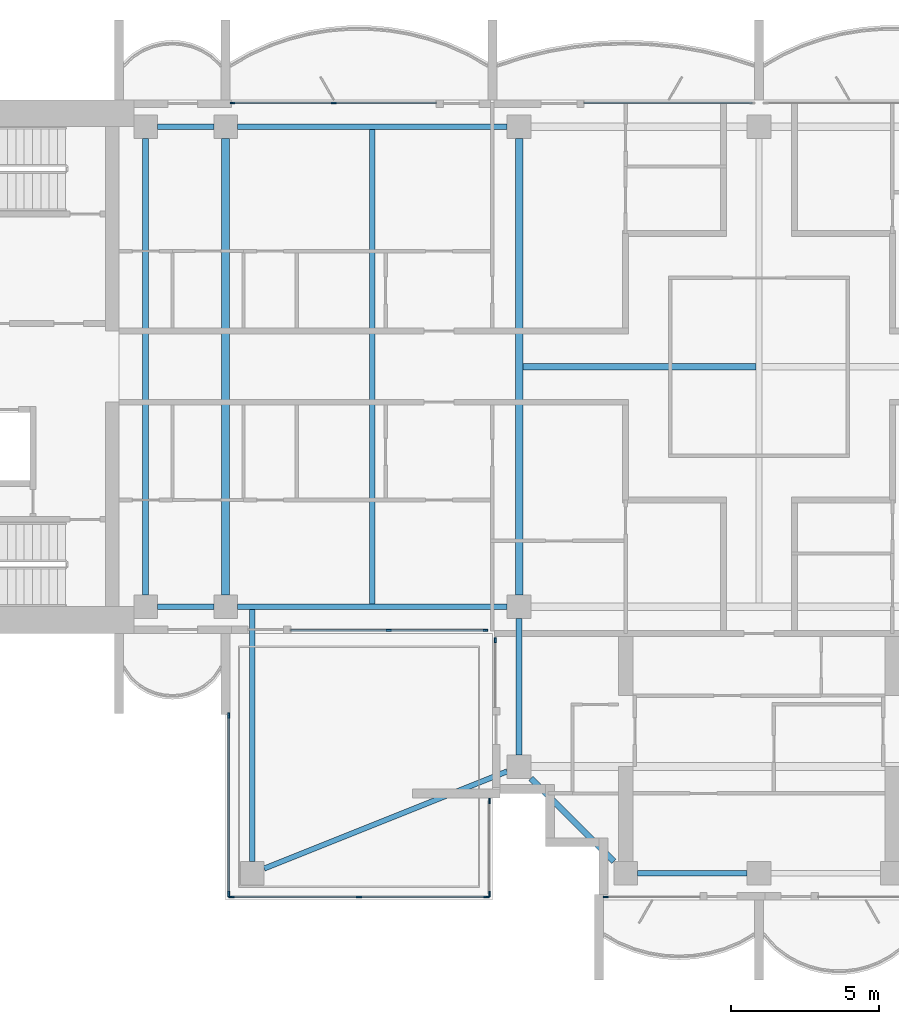
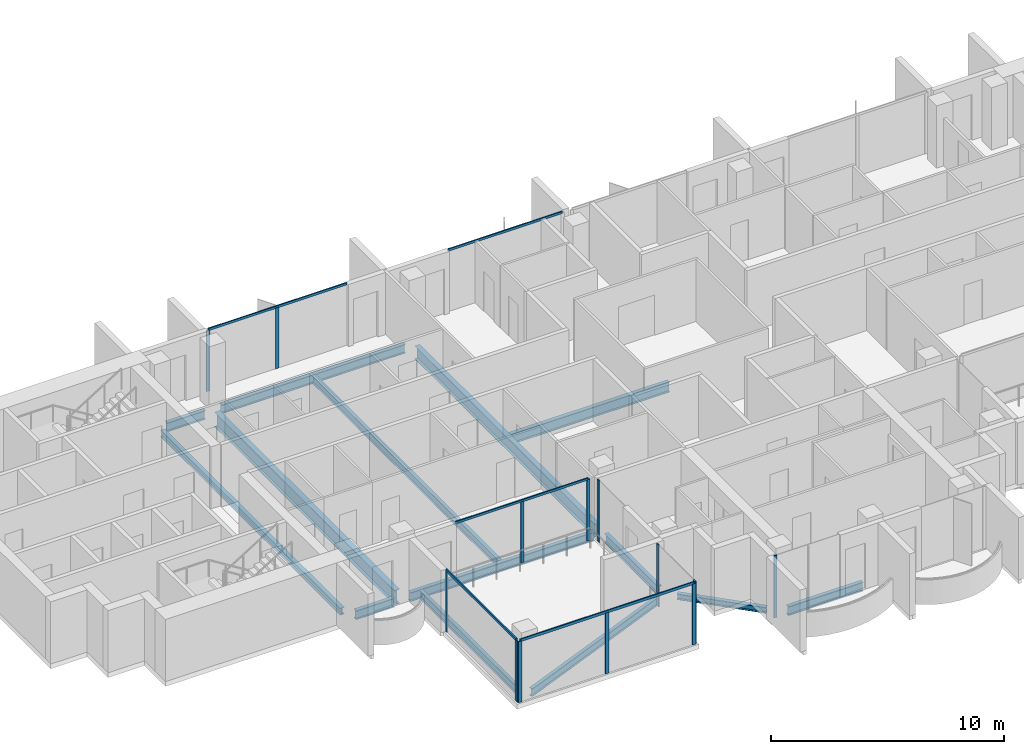
# One storey, part 2 of 16: 18 members, 14 beams, 8 elements without a shape of their own.
"""IFC4 building model written with IfcOpenShell, lengths in metres."""

from ifc_helpers import new_model, si_unit, direction, frame, origin, origin_2d, place, context, subcontext, project, spatial, rectangle, i_section, extrude, material, material_profile, profile_set, type_object, element, aggregate, save


model = new_model("IFC4")

# Units and contexts
model_context = context("Model", 3, precision=1e-05, world=origin(), true_north=direction((0.0, 1.0)))
body_context = subcontext(model_context, "Body", "Model", "MODEL_VIEW")
ifc_project = project(units=[si_unit("LENGTHUNIT", "METRE"), si_unit("AREAUNIT", "SQUARE_METRE"), si_unit("VOLUMEUNIT", "CUBIC_METRE"), si_unit("PLANEANGLEUNIT", "RADIAN"), si_unit("MASSUNIT", "GRAM", prefix="KILO")], contexts=[model_context])

# Site, building, storey
site_placement = place(None, origin())
site = spatial("IfcSite", under=ifc_project, at=site_placement, CompositionType="ELEMENT")
building_placement = place(site_placement, origin())
building = spatial("IfcBuilding", under=site, at=building_placement, Name="Perihelion Cross Residences", CompositionType="ELEMENT")
storey_placement = place(building_placement, frame((0.0, 0.0, 274.5)))
storey = spatial("IfcBuildingStorey", under=building, at=storey_placement, Name="L70", CompositionType="ELEMENT", Elevation=274.5)

# Curtain wall, members
ifc_material_1 = material(Name="Bronze anodised aluminium, tinted glazing", Category="aluminium")
curtain_wall_type_1 = type_object("IfcCurtainWallType", Name="CW1", PredefinedType="NOTDEFINED", material=ifc_material_1)
curtain_wall_1_placement = place(storey_placement, origin())
curtain_wall_1 = element("IfcCurtainWall", 1, at=curtain_wall_1_placement, inside=storey, type_object=curtain_wall_type_1, Name="Curtain wall CW1 L70 west side north bay 1", PredefinedType="NOTDEFINED")
ifc_material_2 = material(Name="Bronze anodised aluminium", Category="aluminium")
ifc_material_profile_1 = material_profile(ifc_material_2, rectangle(XDim=0.06005859375, YDim=0.159912109375, at=origin_2d()), Name="CW1 mullion")
ifc_profile_set_1 = profile_set([ifc_material_profile_1], Name="Bronze anodised aluminium")
member_type_1 = type_object("IfcMemberType", Name="CW1 mullion", PredefinedType="MULLION", material=ifc_profile_set_1)
member_1_placement = place(storey_placement, frame((-14.35009765625, 8.89990234375, 0.0), z_axis=(0.0, 0.0, 1.0), x_axis=(0.0, -1.0, 0.0)))
member_1 = element("IfcMember", 2, at=member_1_placement, type_object=member_type_1, Name="CW1 mullion 2", PredefinedType="MULLION", context=body_context, shape_type="SweptSolid", body=[
    extrude(rectangle(XDim=0.06005859375, YDim=0.159912109375, at=origin_2d()), origin(), (0.0, 0.0, 1.0), 3.18994140625),
])
member_2_placement = place(storey_placement, frame((-17.77001953125, 8.89990234375, 0.0), z_axis=(0.0, 0.0, 1.0), x_axis=(0.0, -1.0, 0.0)))
member_2 = element("IfcMember", 3, at=member_2_placement, type_object=member_type_1, Name="CW1 mullion 3", PredefinedType="MULLION", context=body_context, shape_type="SweptSolid", body=[
    extrude(rectangle(XDim=0.06005859375, YDim=0.159912109375, at=origin_2d()), origin(), (0.0, 0.0, 1.0), 3.18994140625),
])

curtain_wall_2_placement = place(storey_placement, origin())
curtain_wall_2 = element("IfcCurtainWall", 4, at=curtain_wall_2_placement, inside=storey, type_object=curtain_wall_type_1, Name="Curtain wall CW1 L70 west side south bay 2", PredefinedType="NOTDEFINED")
member_3_placement = place(storey_placement, frame((-12.5, -8.89990234375, 0.0), z_axis=(0.0, 0.0, 1.0), x_axis=(0.0, 1.0, 0.0)))
member_3 = element("IfcMember", 5, at=member_3_placement, type_object=member_type_1, Name="CW1 mullion 2", PredefinedType="MULLION", context=body_context, shape_type="SweptSolid", body=[
    extrude(rectangle(XDim=0.06005859375, YDim=0.159912109375, at=origin_2d()), origin(), (0.0, 0.0, 1.0), 3.18994140625),
])
member_4_placement = place(storey_placement, frame((-9.22998046875, -8.89990234375, 0.0), z_axis=(0.0, 0.0, 1.0), x_axis=(0.0, 1.0, 0.0)))
member_4 = element("IfcMember", 6, at=member_4_placement, type_object=member_type_1, Name="CW1 mullion 3", PredefinedType="MULLION", context=body_context, shape_type="SweptSolid", body=[
    extrude(rectangle(XDim=0.06005859375, YDim=0.159912109375, at=origin_2d()), origin(), (0.0, 0.0, 1.0), 3.18994140625),
])

# Curtain wall, member
curtain_wall_3_placement = place(storey_placement, origin())
curtain_wall_3 = element("IfcCurtainWall", 7, at=curtain_wall_3_placement, inside=storey, type_object=curtain_wall_type_1, Name="Curtain wall CW1 L70 south side west bay 1", PredefinedType="NOTDEFINED")
member_5_placement = place(storey_placement, frame((-8.89990234375, -9.22998046875, 0.0), z_axis=(0.0, 0.0, 1.0), x_axis=(1.0, 0.0, 0.0)))
member_5 = element("IfcMember", 8, at=member_5_placement, type_object=member_type_1, Name="CW1 mullion 1", PredefinedType="MULLION", context=body_context, shape_type="SweptSolid", body=[
    extrude(rectangle(XDim=0.06005859375, YDim=0.159912109375, at=origin_2d()), origin(), (0.0, 0.0, 1.0), 3.25),
])
aggregate(curtain_wall_3, [member_5])

curtain_wall_4_placement = place(storey_placement, origin())
curtain_wall_4 = element("IfcCurtainWall", 9, at=curtain_wall_4_placement, inside=storey, type_object=curtain_wall_type_1, Name="Curtain wall CW1 L70 south tip south bay 1", PredefinedType="NOTDEFINED")
member_6_placement = place(storey_placement, frame((-5.169921875, -17.89990234375, 0.0), z_axis=(0.0, 0.0, 1.0), x_axis=(0.0, 1.0, 0.0)))
member_6 = element("IfcMember", 10, at=member_6_placement, type_object=member_type_1, Name="CW1 mullion 1", PredefinedType="MULLION", context=body_context, shape_type="SweptSolid", body=[
    extrude(rectangle(XDim=0.06005859375, YDim=0.159912109375, at=origin_2d()), origin(), (0.0, 0.0, 1.0), 3.25),
])
aggregate(curtain_wall_4, [member_6])

curtain_wall_5_placement = place(storey_placement, origin())
curtain_wall_5 = element("IfcCurtainWall", 11, at=curtain_wall_5_placement, inside=storey, type_object=curtain_wall_type_1, Name="Curtain wall CW1 L70 north side east bay 2", PredefinedType="NOTDEFINED")
ifc_material_3 = material(Name="Bronze anodised aluminium", Category="aluminium")
ifc_material_profile_2 = material_profile(ifc_material_3, rectangle(XDim=0.06005859375, YDim=0.1201171875, at=origin_2d()), Name="CW1 transom")
ifc_profile_set_2 = profile_set([ifc_material_profile_2], Name="Bronze anodised aluminium")
member_type_2 = type_object("IfcMemberType", Name="CW1 transom", PredefinedType="USERDEFINED", material=ifc_profile_set_2)
member_7_placement = place(storey_placement, frame((-0.22998046875, 8.89990234375, 3.219970703125), z_axis=(-1.0, 0.0, 0.0), x_axis=(0.0, -1.0, 0.0)))
member_7 = element("IfcMember", 12, at=member_7_placement, type_object=member_type_2, Name="CW1 head transom", ObjectType="TRANSOM", PredefinedType="USERDEFINED", context=body_context, shape_type="SweptSolid", body=[
    extrude(rectangle(XDim=0.06005859375, YDim=0.1201171875, at=origin_2d()), origin(), (0.0, 0.0, 1.0), 5.669921875),
])
aggregate(curtain_wall_5, [member_7])

# Member
member_8_placement = place(storey_placement, frame((-10.89990234375, 8.89990234375, 3.219970703125), z_axis=(-1.0, 0.0, 0.0), x_axis=(0.0, -1.0, 0.0)))
member_8 = element("IfcMember", 13, at=member_8_placement, type_object=member_type_2, Name="CW1 head transom", ObjectType="TRANSOM", PredefinedType="USERDEFINED", context=body_context, shape_type="SweptSolid", body=[
    extrude(rectangle(XDim=0.06005859375, YDim=0.1201171875, at=origin_2d()), origin(), (0.0, 0.0, 1.0), 6.8701171875),
])

aggregate(curtain_wall_1, [member_1, member_2, member_8])

member_9_placement = place(storey_placement, frame((-15.800048828125, -8.89990234375, 3.219970703125), z_axis=(1.0, 0.0, 0.0), x_axis=(0.0, 1.0, 0.0)))
member_9 = element("IfcMember", 14, at=member_9_placement, type_object=member_type_2, Name="CW1 head transom", ObjectType="TRANSOM", PredefinedType="USERDEFINED", context=body_context, shape_type="SweptSolid", body=[
    extrude(rectangle(XDim=0.06005859375, YDim=0.1201171875, at=origin_2d()), origin(), (0.0, 0.0, 1.0), 6.570068359375),
])

aggregate(curtain_wall_2, [member_3, member_4, member_9])

# Curtain wall, members
ifc_material_4 = material(Name="Bronze anodised aluminium, tinted glazing", Category="aluminium")
curtain_wall_type_2 = type_object("IfcCurtainWallType", Name="CW4", PredefinedType="NOTDEFINED", material=ifc_material_4)
curtain_wall_6_placement = place(storey_placement, origin())
curtain_wall_6 = element("IfcCurtainWall", 15, at=curtain_wall_6_placement, inside=storey, type_object=curtain_wall_type_2, Name="Curtain wall CW4 L70 pocket south-west 1 1", PredefinedType="NOTDEFINED")
ifc_material_5 = material(Name="Bronze anodised aluminium", Category="aluminium")
ifc_material_profile_3 = material_profile(ifc_material_5, rectangle(XDim=0.06005859375, YDim=0.179931640625, at=origin_2d()), Name="CW4 mullion")
ifc_profile_set_3 = profile_set([ifc_material_profile_3], Name="Bronze anodised aluminium")
member_type_3 = type_object("IfcMemberType", Name="CW4 mullion", PredefinedType="MULLION", material=ifc_profile_set_3)
member_10_placement = place(storey_placement, frame((-9.10009765625, -14.658935546875, 0.0), z_axis=(0.0, 0.0, 1.0), x_axis=(1.0, 0.0, 0.0)))
member_10 = element("IfcMember", 16, at=member_10_placement, type_object=member_type_3, Name="CW4 mullion 1", PredefinedType="MULLION", context=body_context, shape_type="SweptSolid", body=[
    extrude(rectangle(XDim=0.06005859375, YDim=0.179931640625, at=origin_2d()), origin(), (0.0, 0.0, 1.0), 3.25),
])
member_11_placement = place(storey_placement, frame((-9.10009765625, -17.800048828125, 0.0), z_axis=(0.0, 0.0, 1.0), x_axis=(1.0, 0.0, 0.0)))
member_11 = element("IfcMember", 17, at=member_11_placement, type_object=member_type_3, Name="CW4 mullion 2", PredefinedType="MULLION", context=body_context, shape_type="SweptSolid", body=[
    extrude(rectangle(XDim=0.06005859375, YDim=0.179931640625, at=origin_2d()), origin(), (0.0, 0.0, 1.0), 3.25),
])
aggregate(curtain_wall_6, [member_10, member_11])

curtain_wall_7_placement = place(storey_placement, origin())
curtain_wall_7 = element("IfcCurtainWall", 18, at=curtain_wall_7_placement, inside=storey, type_object=curtain_wall_type_2, Name="Curtain wall CW4 L70 pocket south-west 1 2", PredefinedType="NOTDEFINED")
member_12_placement = place(storey_placement, frame((-9.199951171875, -17.89990234375, 0.0), z_axis=(0.0, 0.0, 1.0), x_axis=(0.0, -1.0, 0.0)))
member_12 = element("IfcMember", 19, at=member_12_placement, type_object=member_type_3, Name="CW4 mullion 1", PredefinedType="MULLION", context=body_context, shape_type="SweptSolid", body=[
    extrude(rectangle(XDim=0.06005859375, YDim=0.179931640625, at=origin_2d()), origin(), (0.0, 0.0, 1.0), 3.18994140625),
])
member_13_placement = place(storey_placement, frame((-13.5, -17.89990234375, 0.0), z_axis=(0.0, 0.0, 1.0), x_axis=(0.0, -1.0, 0.0)))
member_13 = element("IfcMember", 20, at=member_13_placement, type_object=member_type_3, Name="CW4 mullion 2", PredefinedType="MULLION", context=body_context, shape_type="SweptSolid", body=[
    extrude(rectangle(XDim=0.06005859375, YDim=0.179931640625, at=origin_2d()), origin(), (0.0, 0.0, 1.0), 3.18994140625),
])
member_14_placement = place(storey_placement, frame((-17.800048828125, -17.89990234375, 0.0), z_axis=(0.0, 0.0, 1.0), x_axis=(0.0, -1.0, 0.0)))
member_14 = element("IfcMember", 21, at=member_14_placement, type_object=member_type_3, Name="CW4 mullion 3", PredefinedType="MULLION", context=body_context, shape_type="SweptSolid", body=[
    extrude(rectangle(XDim=0.06005859375, YDim=0.179931640625, at=origin_2d()), origin(), (0.0, 0.0, 1.0), 3.18994140625),
])

curtain_wall_8_placement = place(storey_placement, origin())
curtain_wall_8 = element("IfcCurtainWall", 22, at=curtain_wall_8_placement, inside=storey, type_object=curtain_wall_type_2, Name="Curtain wall CW4 L70 pocket south-west 1 3", PredefinedType="NOTDEFINED")
member_15_placement = place(storey_placement, frame((-17.89990234375, -17.800048828125, 0.0), z_axis=(0.0, 0.0, 1.0), x_axis=(-1.0, 0.0, 0.0)))
member_15 = element("IfcMember", 23, at=member_15_placement, type_object=member_type_3, Name="CW4 mullion 1", PredefinedType="MULLION", context=body_context, shape_type="SweptSolid", body=[
    extrude(rectangle(XDim=0.06005859375, YDim=0.179931640625, at=origin_2d()), origin(), (0.0, 0.0, 1.0), 3.18994140625),
])
member_16_placement = place(storey_placement, frame((-17.89990234375, -11.77001953125, 0.0), z_axis=(0.0, 0.0, 1.0), x_axis=(-1.0, 0.0, 0.0)))
member_16 = element("IfcMember", 24, at=member_16_placement, type_object=member_type_3, Name="CW4 mullion 2", PredefinedType="MULLION", context=body_context, shape_type="SweptSolid", body=[
    extrude(rectangle(XDim=0.06005859375, YDim=0.179931640625, at=origin_2d()), origin(), (0.0, 0.0, 1.0), 3.18994140625),
])

# Member
ifc_material_6 = material(Name="Bronze anodised aluminium", Category="aluminium")
ifc_material_profile_4 = material_profile(ifc_material_6, rectangle(XDim=0.06005859375, YDim=0.139892578125, at=origin_2d()), Name="CW4 transom")
ifc_profile_set_4 = profile_set([ifc_material_profile_4], Name="Bronze anodised aluminium")
member_type_4 = type_object("IfcMemberType", Name="CW4 transom", PredefinedType="USERDEFINED", material=ifc_profile_set_4)
member_17_placement = place(storey_placement, frame((-9.199951171875, -17.89990234375, 3.219970703125), z_axis=(-1.0, 0.0, 0.0), x_axis=(0.0, -1.0, 0.0)))
member_17 = element("IfcMember", 25, at=member_17_placement, type_object=member_type_4, Name="CW4 head transom", ObjectType="TRANSOM", PredefinedType="USERDEFINED", context=body_context, shape_type="SweptSolid", body=[
    extrude(rectangle(XDim=0.06005859375, YDim=0.139892578125, at=origin_2d()), origin(), (0.0, 0.0, 1.0), 8.60009765625),
])

aggregate(curtain_wall_7, [member_12, member_13, member_14, member_17])

member_18_placement = place(storey_placement, frame((-17.89990234375, -17.800048828125, 3.219970703125), z_axis=(0.0, 1.0, 0.0), x_axis=(-1.0, 0.0, 0.0)))
member_18 = element("IfcMember", 26, at=member_18_placement, type_object=member_type_4, Name="CW4 head transom", ObjectType="TRANSOM", PredefinedType="USERDEFINED", context=body_context, shape_type="SweptSolid", body=[
    extrude(rectangle(XDim=0.06005859375, YDim=0.139892578125, at=origin_2d()), origin(), (0.0, 0.0, 1.0), 6.030029296875),
])

aggregate(curtain_wall_8, [member_15, member_16, member_18])

# Beams
ifc_material_7 = material(Name="Steel S355", Category="steel")
ifc_material_profile_5 = material_profile(ifc_material_7, i_section(OverallWidth=0.205078125, OverallDepth=0.35302734375, WebThickness=0.009521484375, FlangeThickness=0.016845703125, at=origin_2d()), Name="W360x79")
ifc_profile_set_5 = profile_set([ifc_material_profile_5], Name="Steel S355")
beam_type_1 = type_object("IfcBeamType", Name="Core edge beam W360x79", PredefinedType="BEAM", material=ifc_profile_set_5)
beam_1_placement = place(storey_placement, frame((-20.699951171875, -7.699951171875, -0.426513671875), z_axis=(0.0, 1.0, 0.0), x_axis=(-1.0, 0.0, 0.0)))
element("IfcBeam", 27, at=beam_1_placement, inside=storey, type_object=beam_type_1, Name="Core edge beam TB7 L70 no. 1", PredefinedType="BEAM", context=body_context, shape_type="SweptSolid", body=[
    extrude(i_section(OverallWidth=0.205078125, OverallDepth=0.35302734375, WebThickness=0.009521484375, FlangeThickness=0.016845703125, at=origin_2d()), origin(), (0.0, 0.0, 1.0), 15.39990234375),
])
ifc_material_8 = material(Name="Steel S355", Category="steel")
ifc_material_profile_6 = material_profile(ifc_material_8, i_section(OverallWidth=0.177978515625, OverallDepth=0.406005859375, WebThickness=0.0078125, FlangeThickness=0.0126953125, at=origin_2d()), Name="W410x60")
ifc_profile_set_6 = profile_set([ifc_material_profile_6], Name="Steel S355")
beam_type_2 = type_object("IfcBeamType", Name="Core edge beam W410x60", PredefinedType="BEAM", material=ifc_profile_set_6)
beam_2_placement = place(storey_placement, frame((-17.10009765625, -8.197021484375, -0.452880859375), z_axis=(0.0, -1.0, 0.0), x_axis=(1.0, 0.0, 0.0)))
element("IfcBeam", 28, at=beam_2_placement, inside=storey, type_object=beam_type_2, Name="Core edge beam TB2 L70 corner no. 1", PredefinedType="BEAM", context=body_context, shape_type="SweptSolid", body=[
    extrude(i_section(OverallWidth=0.177978515625, OverallDepth=0.406005859375, WebThickness=0.0078125, FlangeThickness=0.0126953125, at=origin_2d()), origin(), (0.0, 0.0, 1.0), 8.5029296875),
])
beam_3_placement = place(storey_placement, frame((-8.5, -13.659912109375, -0.452880859375), z_axis=(-0.928474784399, -0.371395442534, 0.0), x_axis=(0.371395442534, -0.928474784399, 0.0)))
element("IfcBeam", 29, at=beam_3_placement, inside=storey, type_object=beam_type_2, Name="Core edge beam TB2 L70 corner no. 2", PredefinedType="BEAM", context=body_context, shape_type="SweptSolid", body=[
    extrude(i_section(OverallWidth=0.177978515625, OverallDepth=0.406005859375, WebThickness=0.0078125, FlangeThickness=0.0126953125, at=origin_2d()), origin(), (0.0, 0.0, 1.0), 8.83154296875),
])
ifc_material_9 = material(Name="Steel S355", Category="steel")
ifc_material_profile_7 = material_profile(ifc_material_9, i_section(OverallWidth=0.194091796875, OverallDepth=0.469970703125, WebThickness=0.0126953125, FlangeThickness=0.0205078125, at=origin_2d()), Name="W460x106")
ifc_profile_set_7 = profile_set([ifc_material_profile_7], Name="Steel S355")
beam_type_3 = type_object("IfcBeamType", Name="Edge beam W460x106", PredefinedType="SPANDREL", material=ifc_profile_set_7)
beam_4_placement = place(storey_placement, frame((-8.5, 8.10009765625, -0.485107421875), z_axis=(-1.0, 0.0, 0.0), x_axis=(0.0, -1.0, 0.0)))
element("IfcBeam", 30, at=beam_4_placement, inside=storey, type_object=beam_type_3, Name="Edge beam SB5 L70 no. 6", PredefinedType="SPANDREL", context=body_context, shape_type="SweptSolid", body=[
    extrude(i_section(OverallWidth=0.194091796875, OverallDepth=0.469970703125, WebThickness=0.0126953125, FlangeThickness=0.0205078125, at=origin_2d()), origin(), (0.0, 0.0, 1.0), 9.10009765625),
])
for number, where, z_axis, x_axis, name in (
    (31, (-18.39990234375, 8.10009765625, -0.485107421875), (-1.0, 0.0, 0.0), (0.0, -1.0, 0.0), "Edge beam SB5 L70 no. 2"),
    (32, (-20.300048828125, -8.10009765625, -0.485107421875), (1.0, 0.0, 0.0), (0.0, 1.0, 0.0), "Edge beam SB5 L70 no. 3"),
):
    element("IfcBeam", number, at=place(storey_placement, frame(where, z_axis=z_axis, x_axis=x_axis)), inside=storey, type_object=beam_type_3, Name=name, PredefinedType="SPANDREL", context=body_context, shape_type="SweptSolid", body=[
        extrude(i_section(OverallWidth=0.194091796875, OverallDepth=0.469970703125, WebThickness=0.0126953125, FlangeThickness=0.0205078125, at=origin_2d()), origin(), (0.0, 0.0, 1.0), 1.900146484375),
    ])
beam_5_placement = place(storey_placement, frame((-17.60009765625, -8.10009765625, -0.485107421875), z_axis=(1.0, 0.0, 0.0), x_axis=(0.0, 1.0, 0.0)))
element("IfcBeam", 33, at=beam_5_placement, inside=storey, type_object=beam_type_3, Name="Edge beam SB5 L70 no. 1", PredefinedType="SPANDREL", context=body_context, shape_type="SweptSolid", body=[
    extrude(i_section(OverallWidth=0.194091796875, OverallDepth=0.469970703125, WebThickness=0.0126953125, FlangeThickness=0.0205078125, at=origin_2d()), origin(), (0.0, 0.0, 1.0), 9.10009765625),
])
beam_6_placement = place(storey_placement, frame((-8.10009765625, -8.5, -0.485107421875), z_axis=(0.0, -1.0, 0.0), x_axis=(1.0, 0.0, 0.0)))
element("IfcBeam", 34, at=beam_6_placement, inside=storey, type_object=beam_type_3, Name="Edge beam SB5 L70 no. 5", PredefinedType="SPANDREL", context=body_context, shape_type="SweptSolid", body=[
    extrude(i_section(OverallWidth=0.194091796875, OverallDepth=0.469970703125, WebThickness=0.0126953125, FlangeThickness=0.0205078125, at=origin_2d()), origin(), (0.0, 0.0, 1.0), 4.60009765625),
])
beam_7_placement = place(storey_placement, frame((-4.10009765625, -17.10009765625, -0.485107421875), z_axis=(1.0, 0.0, 0.0), x_axis=(0.0, 1.0, 0.0)))
element("IfcBeam", 35, at=beam_7_placement, inside=storey, type_object=beam_type_3, Name="Edge beam SB5 L70 no. 4", PredefinedType="SPANDREL", context=body_context, shape_type="SweptSolid", body=[
    extrude(i_section(OverallWidth=0.194091796875, OverallDepth=0.469970703125, WebThickness=0.0126953125, FlangeThickness=0.0205078125, at=origin_2d()), origin(), (0.0, 0.0, 1.0), 3.7001953125),
])
ifc_material_10 = material(Name="Steel S355", Category="steel")
ifc_material_profile_8 = material_profile(ifc_material_10, i_section(OverallWidth=0.26708984375, OverallDepth=0.75390625, WebThickness=0.01318359375, FlangeThickness=0.01708984375, at=origin_2d()), Name="W760x147")
ifc_profile_set_8 = profile_set([ifc_material_profile_8], Name="Steel S355")
beam_type_4 = type_object("IfcBeamType", Name="Floor girder W760x147", PredefinedType="BEAM", material=ifc_profile_set_8)
beam_8_placement = place(storey_placement, frame((-18.0, -7.699951171875, -0.626953125), z_axis=(0.0, 1.0, 0.0), x_axis=(-1.0, 0.0, 0.0)))
element("IfcBeam", 36, at=beam_8_placement, inside=storey, type_object=beam_type_4, Name="Girder G5 L70 no. 1", PredefinedType="BEAM", context=body_context, shape_type="SweptSolid", body=[
    extrude(i_section(OverallWidth=0.26708984375, OverallDepth=0.75390625, WebThickness=0.01318359375, FlangeThickness=0.01708984375, at=origin_2d()), origin(), (0.0, 0.0, 1.0), 15.39990234375),
])
ifc_material_11 = material(Name="Steel S355", Category="steel")
ifc_material_profile_9 = material_profile(ifc_material_11, i_section(OverallWidth=0.177978515625, OverallDepth=0.406005859375, WebThickness=0.0078125, FlangeThickness=0.0126953125, at=origin_2d()), Name="W410x60")
ifc_profile_set_9 = profile_set([ifc_material_profile_9], Name="Steel S355")
beam_type_5 = type_object("IfcBeamType", Name="Floor joist W410x60", PredefinedType="JOIST", material=ifc_profile_set_9)
beam_9_placement = place(storey_placement, frame((-13.050048828125, -8.0029296875, -0.452880859375), z_axis=(0.0, 1.0, 0.0), x_axis=(-1.0, 0.0, 0.0)))
element("IfcBeam", 37, at=beam_9_placement, inside=storey, type_object=beam_type_5, Name="Joist J6 L70 no. 1", PredefinedType="JOIST", context=body_context, shape_type="SweptSolid", body=[
    extrude(i_section(OverallWidth=0.177978515625, OverallDepth=0.406005859375, WebThickness=0.0078125, FlangeThickness=0.0126953125, at=origin_2d()), origin(), (0.0, 0.0, 1.0), 16.005859375),
])
ifc_material_12 = material(Name="Steel S355", Category="steel")
ifc_material_profile_10 = material_profile(ifc_material_12, i_section(OverallWidth=0.208984375, OverallDepth=0.532958984375, WebThickness=0.01025390625, FlangeThickness=0.015625, at=origin_2d()), Name="W530x92")
ifc_profile_set_10 = profile_set([ifc_material_profile_10], Name="Steel S355")
beam_type_6 = type_object("IfcBeamType", Name="Hub cross beam W530x92", PredefinedType="BEAM", material=ifc_profile_set_10)
beam_10_placement = place(storey_placement, frame((-7.972900390625, 0.0, -0.5166015625), z_axis=(1.0, 0.0, 0.0), x_axis=(0.0, 1.0, 0.0)))
element("IfcBeam", 38, at=beam_10_placement, inside=storey, type_object=beam_type_6, Name="Hub cross beam XB5 L70 1 no. 1", PredefinedType="BEAM", context=body_context, shape_type="SweptSolid", body=[
    extrude(i_section(OverallWidth=0.208984375, OverallDepth=0.532958984375, WebThickness=0.01025390625, FlangeThickness=0.015625, at=origin_2d()), origin(), (0.0, 0.0, 1.0), 7.868408203125),
])
ifc_material_13 = material(Name="Steel S355", Category="steel")
ifc_material_profile_11 = material_profile(ifc_material_13, i_section(OverallWidth=0.25390625, OverallDepth=0.677978515625, WebThickness=0.01171875, FlangeThickness=0.016357421875, at=origin_2d()), Name="W690x125")
ifc_profile_set_11 = profile_set([ifc_material_profile_11], Name="Steel S355")
beam_type_7 = type_object("IfcBeamType", Name="Hub ring girder W690x125", PredefinedType="BEAM", material=ifc_profile_set_11)
beam_11_placement = place(storey_placement, frame((-8.10009765625, 7.699951171875, -0.589111328125), z_axis=(0.0, -1.0, 0.0), x_axis=(1.0, 0.0, 0.0)))
element("IfcBeam", 39, at=beam_11_placement, inside=storey, type_object=beam_type_7, Name="Hub ring girder RG5 L70 no. 2", PredefinedType="BEAM", context=body_context, shape_type="SweptSolid", body=[
    extrude(i_section(OverallWidth=0.25390625, OverallDepth=0.677978515625, WebThickness=0.01171875, FlangeThickness=0.016357421875, at=origin_2d()), origin(), (0.0, 0.0, 1.0), 15.39990234375),
])
ifc_material_14 = material(Name="Steel S355", Category="steel")
ifc_material_profile_12 = material_profile(ifc_material_14, i_section(OverallWidth=0.202880859375, OverallDepth=0.302001953125, WebThickness=0.007568359375, FlangeThickness=0.01318359375, at=origin_2d()), Name="W310x60")
ifc_profile_set_12 = profile_set([ifc_material_profile_12], Name="Steel S355")
beam_type_8 = type_object("IfcBeamType", Name="Serration edge beam W310x60", PredefinedType="BEAM", material=ifc_profile_set_12)
beam_12_placement = place(storey_placement, frame((-7.699951171875, -13.89990234375, -0.40087890625), z_axis=(0.707106781187, -0.707106781187, 0.0), x_axis=(0.707106781187, 0.707106781187, 0.0)))
element("IfcBeam", 40, at=beam_12_placement, inside=storey, type_object=beam_type_8, Name="Serration edge beam EB5 L70 no. 1", PredefinedType="BEAM", context=body_context, shape_type="SweptSolid", body=[
    extrude(i_section(OverallWidth=0.202880859375, OverallDepth=0.302001953125, WebThickness=0.007568359375, FlangeThickness=0.01318359375, at=origin_2d()), origin(), (0.0, 0.0, 1.0), 3.9599609375),
])

save(model, "model.ifc")
